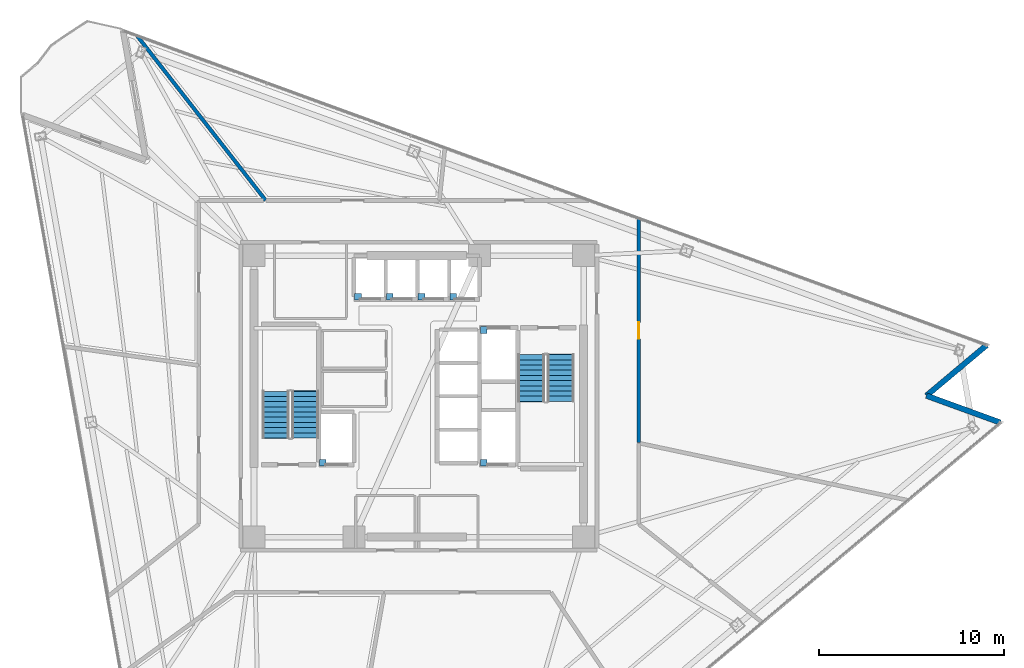
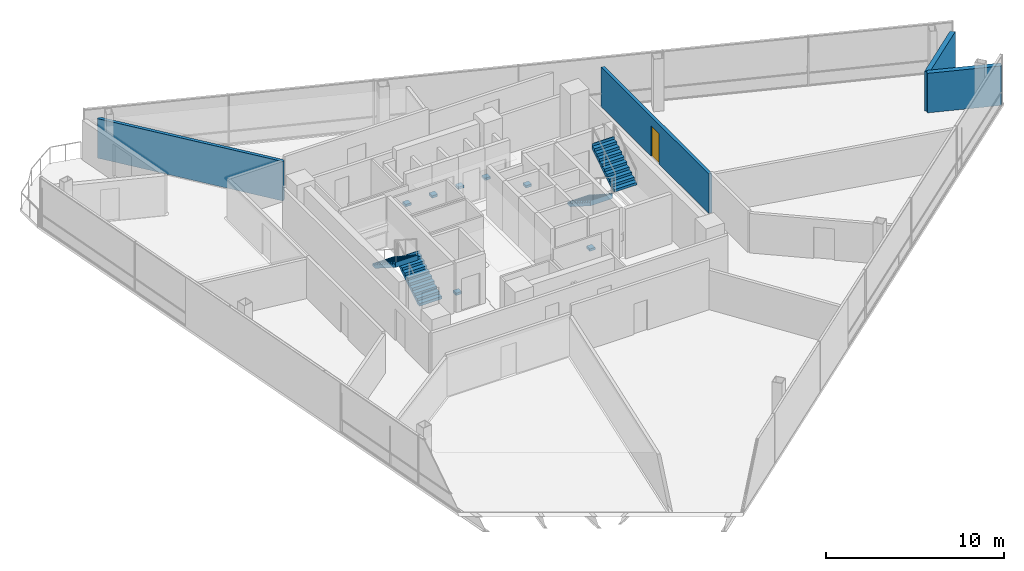
# One storey, part 12 of 16: 7 discrete accessories, 4 stair flights, 4 walls, 1 door, 1 opening, 2 elements without a shape of their own.
"""IFC4 building model written with IfcOpenShell, lengths in metres."""

from ifc_helpers import new_model, si_unit, direction, frame, frame_2d, origin, origin_2d, place, context, subcontext, project, spatial, polyline, rectangle, outline, extrude, material, layer, layer_set, type_object, element, fill, aggregate, save


model = new_model("IFC4")

# Units and contexts
model_context = context("Model", 3, precision=1e-05, world=origin(), true_north=direction((0.0, 1.0)))
body_context = subcontext(model_context, "Body", "Model", "MODEL_VIEW")
ifc_project = project(units=[si_unit("LENGTHUNIT", "METRE"), si_unit("AREAUNIT", "SQUARE_METRE"), si_unit("VOLUMEUNIT", "CUBIC_METRE"), si_unit("PLANEANGLEUNIT", "RADIAN"), si_unit("MASSUNIT", "GRAM", prefix="KILO")], contexts=[model_context])

# Site, building, storey
site_placement = place(None, origin())
site = spatial("IfcSite", under=ifc_project, at=site_placement, CompositionType="ELEMENT")
building_placement = place(site_placement, origin())
building = spatial("IfcBuilding", under=site, at=building_placement, Name="Tharavind Bronze Gate", CompositionType="ELEMENT")
storey_placement = place(building_placement, frame((0.0, 0.0, 181.300048828125)))
storey = spatial("IfcBuildingStorey", under=building, at=storey_placement, Name="L46", CompositionType="ELEMENT", Elevation=181.300048828125)

# Walls
ifc_material_1 = material(Name="Concrete C40/50", Category="concrete")
ifc_layer_1 = layer(ifc_material_1, 0.300048828125)
ifc_layer_set_1 = layer_set([ifc_layer_1], Name="Concrete C40/50")
wall_type_1 = type_object("IfcWallType", Name="EXTERIOR SPANDREL WALL 300", PredefinedType="STANDARD", material=ifc_layer_set_1)
for number, where, z_axis, x_axis, name in (
    (1, (31.410888671875, -1.418212890625, 0.0), (0.0, 0.0, 1.0), (-0.939672547019, 0.342075290511, 0.0), "L46 notch cheek wall 3A"),
    (2, (27.419189453125, 0.034912109375, 0.0), (0.0, 0.0, 1.0), (0.766054602204, 0.642775502367, 0.0), "L46 notch cheek wall 3B"),
):
    element("IfcWall", number, at=place(storey_placement, frame(where, z_axis=z_axis, x_axis=x_axis)), inside=storey, type_object=wall_type_1, Name=name, PredefinedType="STANDARD", context=body_context, shape_type="SweptSolid", body=[
        extrude(rectangle(XDim=4.248046875, YDim=0.300048828125, at=frame_2d((2.1240234375, 0.0))), origin(), (0.0, 0.0, 1.0), 2.71484375),
    ])
ifc_material_2 = material(Name="Aerated Concrete Block", Category="concrete")
ifc_layer_2 = layer(ifc_material_2, 0.199951171875)
ifc_layer_set_2 = layer_set([ifc_layer_2], Name="Aerated Concrete Block")
wall_type_2 = type_object("IfcWallType", Name="FIRE RATED PARTITION 200", PredefinedType="PARTITIONING", material=ifc_layer_set_2)
wall_1_placement = place(storey_placement, frame((-8.2734375, 10.589599609375, 0.0), z_axis=(0.0, 0.0, 1.0), x_axis=(-0.61567096372, 0.788003340369, 0.0)))
element("IfcWall", 3, at=wall_1_placement, inside=storey, type_object=wall_type_2, Name="L46 Investment Committee Room partition", PredefinedType="PARTITIONING", context=body_context, shape_type="SweptSolid", body=[
    extrude(rectangle(XDim=11.2626953125, YDim=0.199951171875, at=frame_2d((5.63134765625, 0.0))), origin(), (0.0, 0.0, 1.0), 2.71484375),
])

# Wall, opening, door
wall_2_placement = place(storey_placement, frame((11.8798828125, -2.5048828125, 0.0), z_axis=(0.0, 0.0, 1.0), x_axis=(0.0, 1.0, 0.0)))
wall_2 = element("IfcWall", 4, at=wall_2_placement, inside=storey, type_object=wall_type_2, Name="L46 Tea Pantry partition", PredefinedType="PARTITIONING", context=body_context, shape_type="SweptSolid", body=[
    extrude(rectangle(XDim=12.110595703125, YDim=0.199951171875, at=frame_2d((6.05517578125, 0.0))), origin(), (0.0, 0.0, 1.0), 2.71484375),
])
opening_placement = place(wall_2_placement, frame((5.60498046875, 0.0, 0.0)))
opening = element("IfcOpeningElement", 5, at=opening_placement, cuts=wall_2, Name="Opening ID07", PredefinedType="OPENING", context=body_context, shape_type="SweptSolid", body=[
    extrude(rectangle(XDim=0.89990234375, YDim=2.10009765625, at=frame_2d((0.449951171875, 1.050048828125))), frame((0.0, 0.11009765625, 0.0), z_axis=(0.0, -1.0, 0.0), x_axis=(1.0, 0.0, 0.0)), (0.0, 0.0, 1.0), 0.219951171875),
])
ifc_material_3 = material(Name="Galvanised Fire Steel", Category="steel")
door_type = type_object("IfcDoorType", Name="PLANT AND RISER FIRE DOOR 900X2100", OperationType="SINGLE_SWING_LEFT", PredefinedType="DOOR", material=ifc_material_3)
door_placement = place(opening_placement, origin())
door = element("IfcDoor", 6, at=door_placement, inside=storey, type_object=door_type, Name="L46 Tea Pantry door", OperationType="SINGLE_SWING_LEFT", OverallHeight=2.10009765625, OverallWidth=0.89990234375, PredefinedType="DOOR", context=body_context, shape_type="SweptSolid", body=[
    extrude(rectangle(XDim=0.89990234375, YDim=2.10009765625, at=frame_2d((0.449951171875, 1.050048828125))), frame((0.0, 0.02490234375, 0.0), z_axis=(0.0, -1.0, 0.0), x_axis=(1.0, 0.0, 0.0)), (0.0, 0.0, 1.0), 0.050048828125),
])
fill(opening, door)

# Stair, stair flights
stair_type = type_object("IfcStairType", Name="CORE HALF TURN STAIR 1450", PredefinedType="HALF_TURN_STAIR", material=ifc_material_1)
stair_1_placement = place(storey_placement, origin())
stair_1 = element("IfcStair", 7, at=stair_1_placement, inside=storey, type_object=stair_type, Name="L46 Protected Exit Stair ST1", PredefinedType="HALF_TURN_STAIR")
stair_flight_type = type_object("IfcStairFlightType", Name="CORE STAIR FLIGHT 1450", PredefinedType="STRAIGHT", material=ifc_material_1)
stair_flight_1_placement = place(storey_placement, frame((-6.125, -2.25, 0.0), z_axis=(0.0, 0.0, 1.0), x_axis=(0.0, 1.0, 0.0)))
stair_flight_1 = element("IfcStairFlight", 8, at=stair_flight_1_placement, type_object=stair_flight_type, Name="ST1 flight 1", NumberOfRisers=10, NumberOfTreads=9, PredefinedType="STRAIGHT", RiserHeight=0.18, TreadLength=0.28, context=body_context, shape_type="SweptSolid", body=[
    extrude(outline(polyline([(0.0, 0.0), (0.0, 0.179931640625), (0.280029296875, 0.179931640625), (0.280029296875, 0.360107421875), (0.56005859375, 0.360107421875), (0.56005859375, 0.5400390625), (0.840087890625, 0.5400390625), (0.840087890625, 0.719970703125), (1.1201171875, 0.719970703125), (1.1201171875, 0.89990234375), (1.39990234375, 0.89990234375), (1.39990234375, 1.080078125), (1.679931640625, 1.080078125), (1.679931640625, 1.260009765625), (1.9599609375, 1.260009765625), (1.9599609375, 1.43994140625), (2.239990234375, 1.43994140625), (2.239990234375, 1.6201171875), (2.52001953125, 1.6201171875), (2.52001953125, 1.800048828125), (2.555908203125, 1.800048828125), (2.555908203125, 1.44189453125), (0.277099609375, 0.0), (0.0, 0.0)])), frame((0.0, 0.72509765625, 0.0), z_axis=(0.0, -1.0, 0.0), x_axis=(1.0, 0.0, 0.0)), (0.0, 0.0, 1.0), 1.449951171875),
])
stair_flight_2_placement = place(storey_placement, frame((-7.72509765625, 0.27001953125, 1.800048828125), z_axis=(0.0, 0.0, 1.0), x_axis=(0.0, -1.0, 0.0)))
stair_flight_2 = element("IfcStairFlight", 9, at=stair_flight_2_placement, type_object=stair_flight_type, Name="ST1 flight 2", NumberOfRisers=10, NumberOfTreads=9, PredefinedType="STRAIGHT", RiserHeight=0.18, TreadLength=0.28, context=body_context, shape_type="SweptSolid", body=[
    extrude(outline(polyline([(0.0, 0.0), (0.0, 0.179931640625), (0.280029296875, 0.179931640625), (0.280029296875, 0.360107421875), (0.56005859375, 0.360107421875), (0.56005859375, 0.5400390625), (0.840087890625, 0.5400390625), (0.840087890625, 0.719970703125), (1.1201171875, 0.719970703125), (1.1201171875, 0.89990234375), (1.39990234375, 0.89990234375), (1.39990234375, 1.080078125), (1.679931640625, 1.080078125), (1.679931640625, 1.260009765625), (1.9599609375, 1.260009765625), (1.9599609375, 1.43994140625), (2.239990234375, 1.43994140625), (2.239990234375, 1.6201171875), (2.52001953125, 1.6201171875), (2.52001953125, 1.800048828125), (2.555908203125, 1.800048828125), (2.555908203125, 1.44189453125), (0.277099609375, 0.0), (0.0, 0.0)])), frame((0.0, 0.72509765625, 0.0), z_axis=(0.0, -1.0, 0.0), x_axis=(1.0, 0.0, 0.0)), (0.0, 0.0, 1.0), 1.449951171875),
])
aggregate(stair_1, [stair_flight_1, stair_flight_2])

stair_2_placement = place(storey_placement, origin())
stair_2 = element("IfcStair", 10, at=stair_2_placement, inside=storey, type_object=stair_type, Name="L46 Protected Exit Stair ST2", PredefinedType="HALF_TURN_STAIR")
stair_flight_3_placement = place(storey_placement, frame((6.074951171875, 2.25, 0.0), z_axis=(0.0, 0.0, 1.0), x_axis=(0.0, -1.0, 0.0)))
stair_flight_3 = element("IfcStairFlight", 11, at=stair_flight_3_placement, type_object=stair_flight_type, Name="ST2 flight 1", NumberOfRisers=10, NumberOfTreads=9, PredefinedType="STRAIGHT", RiserHeight=0.18, TreadLength=0.28, context=body_context, shape_type="SweptSolid", body=[
    extrude(outline(polyline([(0.0, 0.0), (0.0, 0.179931640625), (0.280029296875, 0.179931640625), (0.280029296875, 0.360107421875), (0.56005859375, 0.360107421875), (0.56005859375, 0.5400390625), (0.840087890625, 0.5400390625), (0.840087890625, 0.719970703125), (1.1201171875, 0.719970703125), (1.1201171875, 0.89990234375), (1.39990234375, 0.89990234375), (1.39990234375, 1.080078125), (1.679931640625, 1.080078125), (1.679931640625, 1.260009765625), (1.9599609375, 1.260009765625), (1.9599609375, 1.43994140625), (2.239990234375, 1.43994140625), (2.239990234375, 1.6201171875), (2.52001953125, 1.6201171875), (2.52001953125, 1.800048828125), (2.555908203125, 1.800048828125), (2.555908203125, 1.44189453125), (0.277099609375, 0.0), (0.0, 0.0)])), frame((0.0, 0.72509765625, 0.0), z_axis=(0.0, -1.0, 0.0), x_axis=(1.0, 0.0, 0.0)), (0.0, 0.0, 1.0), 1.449951171875),
])
stair_flight_4_placement = place(storey_placement, frame((7.675048828125, -0.27001953125, 1.800048828125), z_axis=(0.0, 0.0, 1.0), x_axis=(0.0, 1.0, 0.0)))
stair_flight_4 = element("IfcStairFlight", 12, at=stair_flight_4_placement, type_object=stair_flight_type, Name="ST2 flight 2", NumberOfRisers=10, NumberOfTreads=9, PredefinedType="STRAIGHT", RiserHeight=0.18, TreadLength=0.28, context=body_context, shape_type="SweptSolid", body=[
    extrude(outline(polyline([(0.0, 0.0), (0.0, 0.179931640625), (0.280029296875, 0.179931640625), (0.280029296875, 0.360107421875), (0.56005859375, 0.360107421875), (0.56005859375, 0.5400390625), (0.840087890625, 0.5400390625), (0.840087890625, 0.719970703125), (1.1201171875, 0.719970703125), (1.1201171875, 0.89990234375), (1.39990234375, 0.89990234375), (1.39990234375, 1.080078125), (1.679931640625, 1.080078125), (1.679931640625, 1.260009765625), (1.9599609375, 1.260009765625), (1.9599609375, 1.43994140625), (2.239990234375, 1.43994140625), (2.239990234375, 1.6201171875), (2.52001953125, 1.6201171875), (2.52001953125, 1.800048828125), (2.555908203125, 1.800048828125), (2.555908203125, 1.44189453125), (0.277099609375, 0.0), (0.0, 0.0)])), frame((0.0, 0.72509765625, 0.0), z_axis=(0.0, -1.0, 0.0), x_axis=(1.0, 0.0, 0.0)), (0.0, 0.0, 1.0), 1.449951171875),
])
aggregate(stair_2, [stair_flight_3, stair_flight_4])

# Discrete accessories
ifc_material_4 = material(Name="Galvanised Steel S355", Category="steel")
discrete_accessory_type = type_object("IfcDiscreteAccessoryType", Name="LIFT GUIDE RAIL BRACKET", PredefinedType="BRACKET", material=ifc_material_4)
for number, where, z_axis, x_axis, name in (
    (13, (-3.280029296875, 5.3701171875, 1.1201171875), (0.0, 0.0, 1.0), (1.0, 0.0, 0.0), "Lift PL5 guide rail bracket at L46"),
    (14, (-1.5673828125, 5.3701171875, 1.1201171875), (0.0, 0.0, 1.0), (1.0, 0.0, 0.0), "Lift PL6 guide rail bracket at L46"),
    (15, (0.14501953125, 5.3701171875, 1.1201171875), (0.0, 0.0, 1.0), (1.0, 0.0, 0.0), "Lift PL7 guide rail bracket at L46"),
    (16, (1.857421875, 5.3701171875, 1.1201171875), (0.0, 0.0, 1.0), (1.0, 0.0, 0.0), "Lift PL8 guide rail bracket at L46"),
    (17, (-5.179931640625, -3.580078125, 1.1201171875), (0.0, 0.0, 1.0), (1.0, 0.0, 0.0), "Lift FFL1 guide rail bracket at L46"),
    (18, (3.5, 3.580078125, 1.1201171875), (0.0, 0.0, 1.0), (1.0, 0.0, 0.0), "Lift FFL2 guide rail bracket at L46"),
    (19, (3.5, -3.580078125, 1.1201171875), (0.0, 0.0, 1.0), (1.0, 0.0, 0.0), "Lift SVL1 guide rail bracket at L46"),
):
    element("IfcDiscreteAccessory", number, at=place(storey_placement, frame(where, z_axis=z_axis, x_axis=x_axis)), inside=storey, type_object=discrete_accessory_type, Name=name, PredefinedType="BRACKET", context=body_context, shape_type="SweptSolid", body=[
        extrude(rectangle(XDim=0.360107421875, YDim=0.360107421875, at=origin_2d()), origin(), (0.0, 0.0, 1.0), 0.159912109375),
    ])

save(model, "model.ifc")
